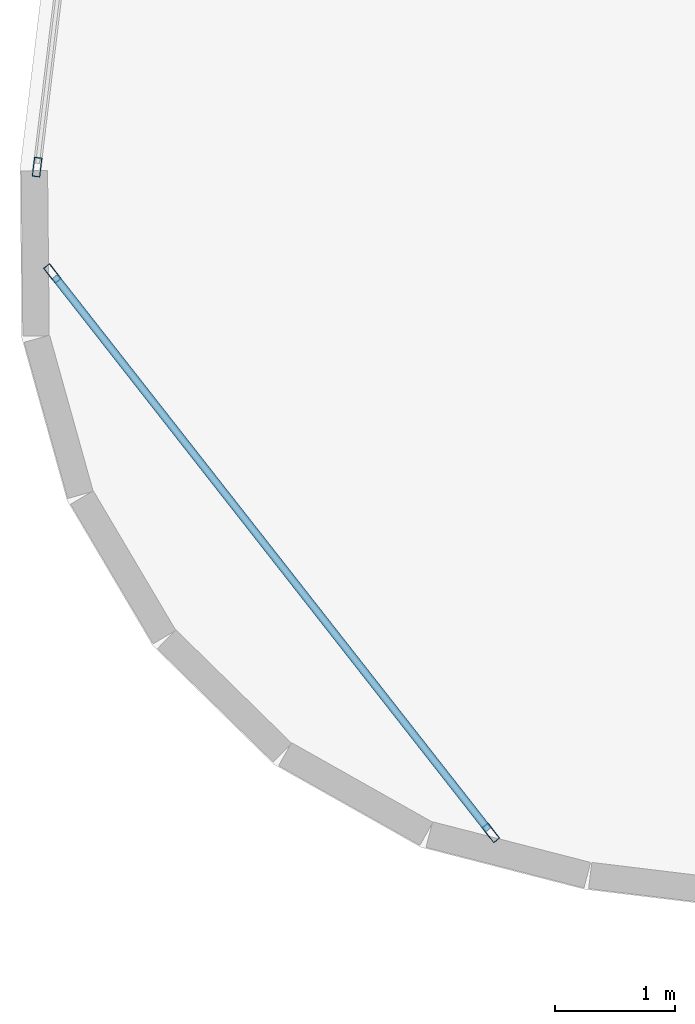
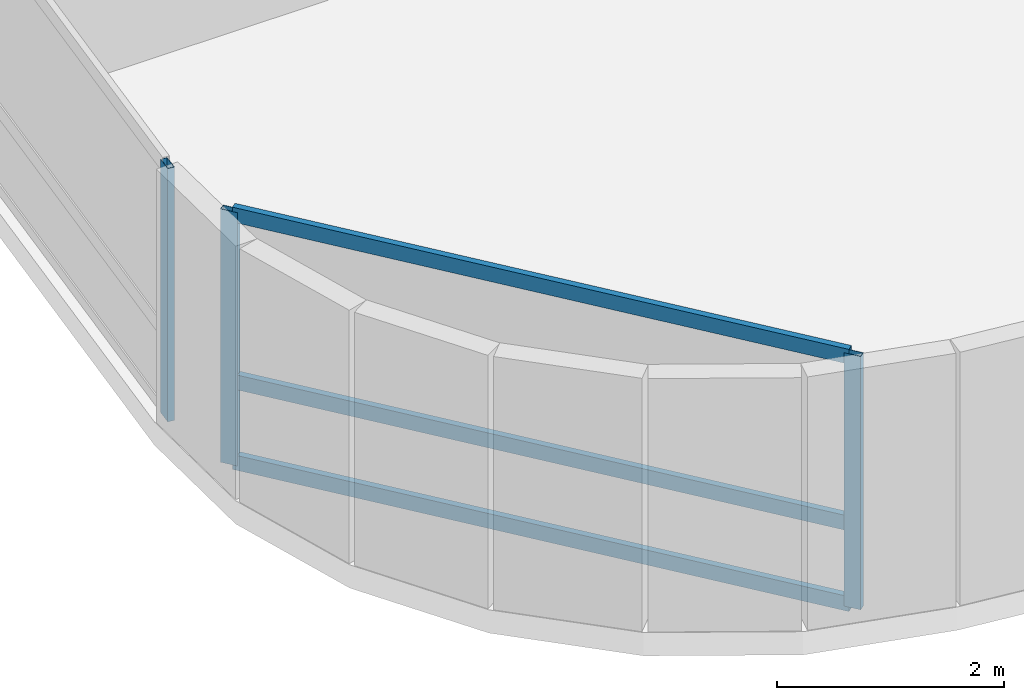
# One storey, part 2 of 26: 6 members, 2 elements without a shape of their own.
"""IFC4 building model written with IfcOpenShell, lengths in metres."""

from ifc_helpers import new_model, si_unit, direction, frame, origin, origin_2d, place, context, subcontext, project, spatial, hollow_rectangle, extrude, material, layer, layer_set, material_profile, profile_set, type_object, element, aggregate, save


model = new_model("IFC4")

# Units and contexts
model_context = context("Model", 3, precision=1e-05, world=origin(), true_north=direction((0.0, 1.0)))
body_context = subcontext(model_context, "Body", "Model", "MODEL_VIEW")
ifc_project = project(units=[si_unit("LENGTHUNIT", "METRE"), si_unit("AREAUNIT", "SQUARE_METRE"), si_unit("VOLUMEUNIT", "CUBIC_METRE"), si_unit("PLANEANGLEUNIT", "RADIAN"), si_unit("MASSUNIT", "GRAM", prefix="KILO")], contexts=[model_context])

# Site, building, storey
site_placement = place(None, origin())
site = spatial("IfcSite", under=ifc_project, at=site_placement, CompositionType="ELEMENT")
building_placement = place(site_placement, origin())
building = spatial("IfcBuilding", under=site, at=building_placement, Name="Varnelok Gate Tower", CompositionType="ELEMENT")
storey_placement = place(building_placement, frame((0.0, 0.0, 151.300048828125)))
storey = spatial("IfcBuildingStorey", under=building, at=storey_placement, Name="L38", CompositionType="ELEMENT", Elevation=151.300048828125)

# Curtain wall, member
ifc_material = material(Name="Anodized Aluminum Alloy 6063-T6", Category="aluminium")
ifc_layer_1 = layer(ifc_material, 0.179931640625)
ifc_layer_set_1 = layer_set([ifc_layer_1], Name="Anodized Aluminum Alloy 6063-T6")
curtain_wall_type_1 = type_object("IfcCurtainWallType", Name="CW3-HOTEL-VISION", PredefinedType="USERDEFINED", material=ifc_layer_set_1)
curtain_wall_1_placement = place(storey_placement, origin())
curtain_wall_1 = element("IfcCurtainWall", 1, at=curtain_wall_1_placement, inside=storey, type_object=curtain_wall_type_1, Name="L38 West End Vision Curtain Wall", ObjectType="UNITISED CURTAIN WALL", PredefinedType="USERDEFINED")
ifc_material_profile_1 = material_profile(ifc_material, hollow_rectangle(XDim=0.06494140625, YDim=0.159912109375, WallThickness=0.00390625, at=origin_2d()), Name="ALU160X65X4")
ifc_profile_set_1 = profile_set([ifc_material_profile_1], Name="Anodized Aluminum Alloy 6063-T6")
member_type_1 = type_object("IfcMemberType", Name="CW-MULL-160", PredefinedType="MULLION", material=ifc_profile_set_1)
member_1_placement = place(storey_placement, frame((0.2470703125, 11.923095703125, 0.0), z_axis=(0.0, 0.0, 1.0), x_axis=(-0.99273188146, 0.120347046212, 0.0)))
member_1 = element("IfcMember", 2, at=member_1_placement, type_object=member_type_1, Name="CW3 mullion 1", PredefinedType="MULLION", context=body_context, shape_type="SweptSolid", body=[
    extrude(hollow_rectangle(XDim=0.06494140625, YDim=0.159912109375, WallThickness=0.00390625, at=origin_2d()), origin(), (0.0, 0.0, 1.0), 2.72998046875),
])
aggregate(curtain_wall_1, [member_1])

# Curtain wall, members
ifc_layer_2 = layer(ifc_material, 0.179931640625)
ifc_layer_set_2 = layer_set([ifc_layer_2], Name="Anodized Aluminum Alloy 6063-T6")
curtain_wall_type_2 = type_object("IfcCurtainWallType", Name="CW5-WINDCORNER-GLAZ", PredefinedType="USERDEFINED", material=ifc_layer_set_2)
curtain_wall_2_placement = place(storey_placement, origin())
curtain_wall_2 = element("IfcCurtainWall", 3, at=curtain_wall_2_placement, inside=storey, type_object=curtain_wall_type_2, Name="L38 Wind-Shaped Corner Curtain Wall SW", ObjectType="STRUCTURAL GLAZING", PredefinedType="USERDEFINED")
member_2_placement = place(storey_placement, frame((0.374267578125, 11.035888671875, 0.0), z_axis=(0.0, 0.0, 1.0), x_axis=(0.787055039792, 0.616882780063, 0.0)))
member_2 = element("IfcMember", 4, at=member_2_placement, type_object=member_type_1, Name="CW5 mullion 1", PredefinedType="MULLION", context=body_context, shape_type="SweptSolid", body=[
    extrude(hollow_rectangle(XDim=0.06494140625, YDim=0.159912109375, WallThickness=0.00390625, at=origin_2d()), origin(), (0.0, 0.0, 1.0), 2.72998046875),
])
member_3_placement = place(storey_placement, frame((4.032958984375, 6.36767578125, 0.0), z_axis=(0.0, 0.0, 1.0), x_axis=(0.787055039792, 0.616882780063, 0.0)))
member_3 = element("IfcMember", 5, at=member_3_placement, type_object=member_type_1, Name="CW5 mullion 2", PredefinedType="MULLION", context=body_context, shape_type="SweptSolid", body=[
    extrude(hollow_rectangle(XDim=0.06494140625, YDim=0.159912109375, WallThickness=0.00390625, at=origin_2d()), origin(), (0.0, 0.0, 1.0), 2.72998046875),
])
ifc_material_profile_2 = material_profile(ifc_material, hollow_rectangle(XDim=0.06494140625, YDim=0.159912109375, WallThickness=0.00390625, at=origin_2d()), Name="ALU160X65X4")
ifc_profile_set_2 = profile_set([ifc_material_profile_2], Name="Anodized Aluminum Alloy 6063-T6")
member_type_2 = type_object("IfcMemberType", Name="CW-TRAN-160", PredefinedType="USERDEFINED", material=ifc_profile_set_2)
member_4_placement = place(storey_placement, frame((0.394287109375, 11.01025390625, 0.032470703125), z_axis=(0.616857972856, -0.787074482704, 0.0), x_axis=(0.787074482704, 0.616857972856, 0.0)))
member_4 = element("IfcMember", 6, at=member_4_placement, type_object=member_type_2, Name="CW5 transom 1.1", ObjectType="TRANSOM", PredefinedType="USERDEFINED", context=body_context, shape_type="SweptSolid", body=[
    extrude(hollow_rectangle(XDim=0.06494140625, YDim=0.159912109375, WallThickness=0.00390625, at=origin_2d()), origin(), (0.0, 0.0, 1.0), 5.8662109375),
])
member_5_placement = place(storey_placement, frame((0.394287109375, 11.01025390625, 0.89990234375), z_axis=(0.616857972856, -0.787074482704, 0.0), x_axis=(0.787074482704, 0.616857972856, 0.0)))
member_5 = element("IfcMember", 7, at=member_5_placement, type_object=member_type_2, Name="CW5 transom 1.2", ObjectType="TRANSOM", PredefinedType="USERDEFINED", context=body_context, shape_type="SweptSolid", body=[
    extrude(hollow_rectangle(XDim=0.06494140625, YDim=0.159912109375, WallThickness=0.00390625, at=origin_2d()), origin(), (0.0, 0.0, 1.0), 5.8662109375),
])
member_6_placement = place(storey_placement, frame((0.394287109375, 11.01025390625, 2.697509765625), z_axis=(0.616857972856, -0.787074482704, 0.0), x_axis=(0.787074482704, 0.616857972856, 0.0)))
member_6 = element("IfcMember", 8, at=member_6_placement, type_object=member_type_2, Name="CW5 transom 1.3", ObjectType="TRANSOM", PredefinedType="USERDEFINED", context=body_context, shape_type="SweptSolid", body=[
    extrude(hollow_rectangle(XDim=0.06494140625, YDim=0.159912109375, WallThickness=0.00390625, at=origin_2d()), origin(), (0.0, 0.0, 1.0), 5.8662109375),
])
aggregate(curtain_wall_2, [member_2, member_3, member_4, member_5, member_6])

save(model, "model.ifc")
